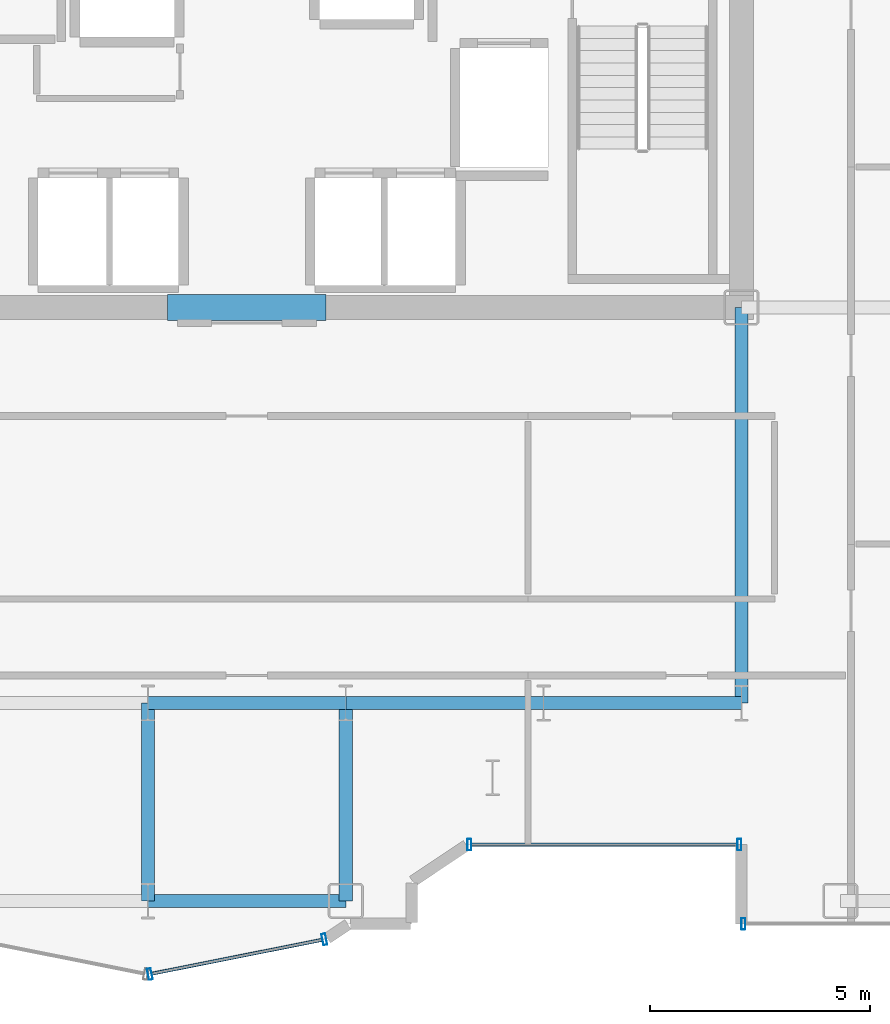
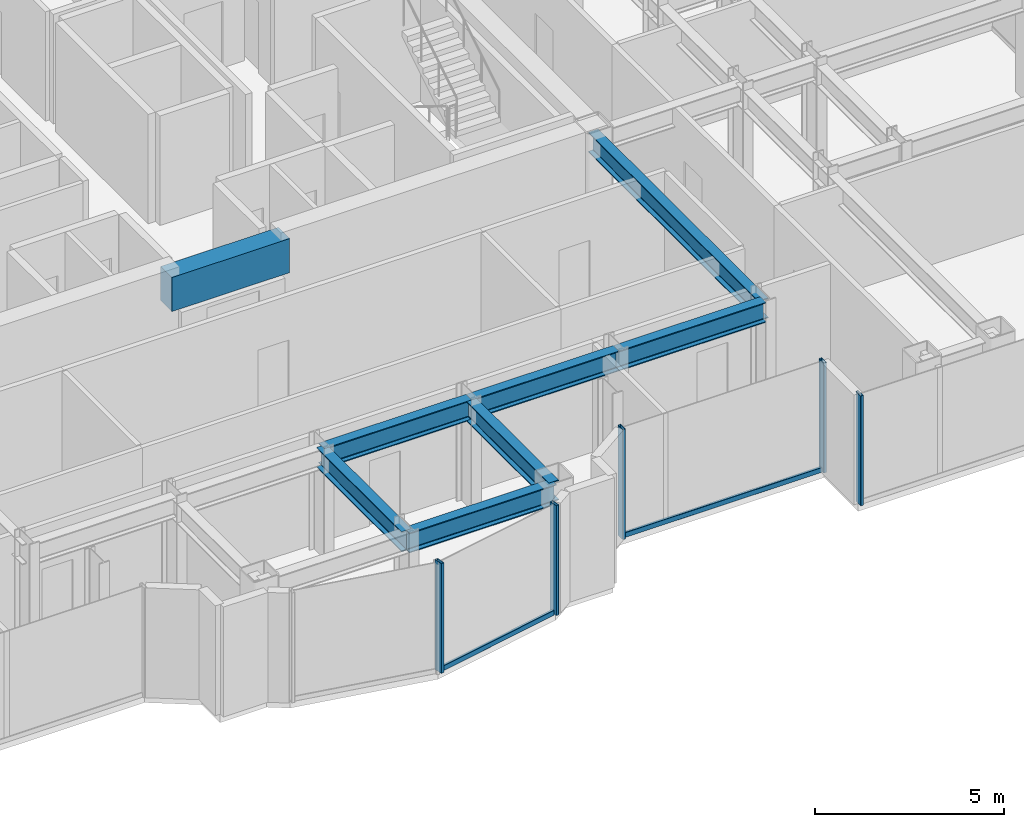
# One storey, part 7 of 23: 8 beams, 7 members, 3 elements without a shape of their own.
"""IFC4 building model written with IfcOpenShell, lengths in metres."""

from ifc_helpers import new_model, si_unit, direction, frame, origin, origin_2d, place, context, subcontext, project, spatial, rectangle, hollow_rectangle, i_section, extrude, source, transform, mapped, material, layer, layer_set, material_profile, profile_set, type_object, element, aggregate, save


model = new_model("IFC4")

# Units and contexts
model_context = context("Model", 3, precision=1e-05, world=origin(), true_north=direction((0.0, 1.0)))
body_context = subcontext(model_context, "Body", "Model", "MODEL_VIEW")
ifc_project = project(units=[si_unit("LENGTHUNIT", "METRE"), si_unit("AREAUNIT", "SQUARE_METRE"), si_unit("VOLUMEUNIT", "CUBIC_METRE"), si_unit("PLANEANGLEUNIT", "RADIAN"), si_unit("MASSUNIT", "GRAM", prefix="KILO")], contexts=[model_context])

# Site, building, storey
site_placement = place(None, origin())
site = spatial("IfcSite", under=ifc_project, at=site_placement, CompositionType="ELEMENT")
building_placement = place(site_placement, origin())
building = spatial("IfcBuilding", under=site, at=building_placement, Name="Nefas-Gora Pilgrimage Tower", CompositionType="ELEMENT")
storey_placement = place(building_placement, frame((0.0, 0.0, 190.60009765625)))
storey = spatial("IfcBuildingStorey", under=building, at=storey_placement, Name="L47", CompositionType="ELEMENT", Elevation=190.60009765625)

# Beams
ifc_material_1 = material(Name="Concrete C60/75", Category="concrete")
ifc_material_profile_1 = material_profile(ifc_material_1, rectangle(XDim=0.60009765625, YDim=1.10009765625, at=origin_2d()), Name="RC 600x1100")
ifc_profile_set_1 = profile_set([ifc_material_profile_1], Name="Concrete C60/75")
beam_type_1 = type_object("IfcBeamType", Name="BM-LIN-RC1100", PredefinedType="LINTEL", material=ifc_profile_set_1)
shared_shape_1 = source(origin(), body_context, "Body", "SweptSolid", [
    extrude(rectangle(XDim=0.60009765625, YDim=1.10009765625, at=origin_2d()), origin(), (0.0, 0.0, 1.0), 3.60009765625),
])
beam_1_placement = place(storey_placement, frame((-1.800048828125, -9.0, 3.0), z_axis=(1.0, 0.0, 0.0), x_axis=(0.0, 1.0, 0.0)))
element("IfcBeam", 1, at=beam_1_placement, inside=storey, type_object=beam_type_1, Name="L47 Core Coupling Lintel Beam S", PredefinedType="LINTEL", context=body_context, shape_type="MappedRepresentation", body=[
    mapped(shared_shape_1, transform((0.0, 0.0, 0.0), x_axis=(1.0, 0.0, 0.0), y_axis=(0.0, 1.0, 0.0), z_axis=(0.0, 0.0, 1.0), scale=1.0)),
])
ifc_material_2 = material(Name="Steel S355", Category="steel")
ifc_material_profile_2 = material_profile(ifc_material_2, i_section(OverallWidth=0.300048828125, OverallDepth=0.64990234375, WebThickness=0.01611328125, FlangeThickness=0.031005859375, FilletRadius=0.027099609375, at=origin_2d()), Name="HEB 650")
ifc_profile_set_2 = profile_set([ifc_material_profile_2], Name="Steel S355")
beam_type_2 = type_object("IfcBeamType", Name="BM-GIR-HEB650", PredefinedType="BEAM", material=ifc_profile_set_2)
shared_shape_2 = source(origin(), body_context, "Body", "SweptSolid", [
    extrude(i_section(OverallWidth=0.300048828125, OverallDepth=0.64990234375, WebThickness=0.01611328125, FlangeThickness=0.031005859375, FilletRadius=0.027099609375, at=origin_2d()), origin(), (0.0, 0.0, 1.0), 9.0),
])
beam_2_placement = place(storey_placement, frame((11.25, -18.0, 3.224853515625), z_axis=(0.0, 1.0, 0.0), x_axis=(-1.0, 0.0, 0.0)))
element("IfcBeam", 2, at=beam_2_placement, inside=storey, type_object=beam_type_2, Name="L47 G-03 beam", PredefinedType="BEAM", context=body_context, shape_type="MappedRepresentation", body=[
    mapped(shared_shape_2, transform((0.0, 0.0, 0.0), x_axis=(1.0, 0.0, 0.0), y_axis=(0.0, 1.0, 0.0), z_axis=(0.0, 0.0, 1.0), scale=1.0)),
])
shared_shape_3 = source(origin(), body_context, "Body", "SweptSolid", [
    extrude(i_section(OverallWidth=0.300048828125, OverallDepth=0.64990234375, WebThickness=0.01611328125, FlangeThickness=0.031005859375, FilletRadius=0.027099609375, at=origin_2d()), origin(), (0.0, 0.0, 1.0), 4.5),
])
for number, where, z_axis, x_axis, name in (
    (3, (-2.25, -22.5, 3.224853515625), (0.0, 1.0, 0.0), (-1.0, 0.0, 0.0), "L47 G-03 beam"),
    (4, (-2.25, -22.5, 3.224853515625), (1.0, 0.0, 0.0), (0.0, 1.0, 0.0), "L47 G-03 beam"),
    (5, (-2.25, -18.0, 3.224853515625), (1.0, 0.0, 0.0), (0.0, 1.0, 0.0), "L47 G-03 beam"),
    (6, (2.25, -22.5, 3.224853515625), (0.0, 1.0, 0.0), (-1.0, 0.0, 0.0), "L47 G-03 beam"),
    (7, (2.25, -18.0, 3.224853515625), (1.0, 0.0, 0.0), (0.0, 1.0, 0.0), "L47 G-03 beam"),
    (8, (6.75, -18.0, 3.224853515625), (1.0, 0.0, 0.0), (0.0, 1.0, 0.0), "L47 G-03 beam"),
):
    element("IfcBeam", number, at=place(storey_placement, frame(where, z_axis=z_axis, x_axis=x_axis)), inside=storey, type_object=beam_type_2, Name=name, PredefinedType="BEAM", context=body_context, shape_type="MappedRepresentation", body=[
        mapped(shared_shape_3, transform((0.0, 0.0, 0.0), x_axis=(1.0, 0.0, 0.0), y_axis=(0.0, 1.0, 0.0), z_axis=(0.0, 0.0, 1.0), scale=1.0)),
    ])

# Curtain wall, member
ifc_material_3 = material(Name="Dark ceramic-fritted solar-control aluminium-glass curtain wall", Category="aluminium")
ifc_layer_1 = layer(ifc_material_3, 0.219970703125)
ifc_layer_set_1 = layer_set([ifc_layer_1], Name="Dark ceramic-fritted solar-control aluminium-glass curtain wall")
curtain_wall_type_1 = type_object("IfcCurtainWallType", Name="CW-SYS-5", PredefinedType="NOTDEFINED", material=ifc_layer_set_1)
curtain_wall_1_placement = place(storey_placement, origin())
curtain_wall_1 = element("IfcCurtainWall", 9, at=curtain_wall_1_placement, inside=storey, type_object=curtain_wall_type_1, Name="L47 Unitised Curtain Wall CW5", PredefinedType="NOTDEFINED")
ifc_material_4 = material(Name="Anodised architectural aluminium", Category="aluminium")
ifc_material_profile_3 = material_profile(ifc_material_4, hollow_rectangle(XDim=0.080078125, YDim=0.159912109375, WallThickness=0.00439453125, InnerFilletRadius=0.00439453125, OuterFilletRadius=0.009033203125, at=origin_2d()), Name="ALU TRANSOM 80x160")
ifc_profile_set_3 = profile_set([ifc_material_profile_3], Name="Anodised architectural aluminium")
member_type_1 = type_object("IfcMemberType", Name="CWM-TRN-5", PredefinedType="USERDEFINED", material=ifc_profile_set_3)
shared_shape_4 = source(origin(), body_context, "Body", "SweptSolid", [
    extrude(hollow_rectangle(XDim=0.080078125, YDim=0.159912109375, WallThickness=0.00439453125, InnerFilletRadius=0.00439453125, OuterFilletRadius=0.009033203125, at=origin_2d()), origin(), (0.0, 0.0, 1.0), 6.052001953125),
])
member_1_placement = place(storey_placement, frame((5.10791015625, -21.219970703125, 0.0498046875), z_axis=(1.0, 0.0, 0.0), x_axis=(0.0, 1.0, 0.0)))
member_1 = element("IfcMember", 10, at=member_1_placement, type_object=member_type_1, Name="CW5 Spandrel Transom", ObjectType="TRANSOM", PredefinedType="USERDEFINED", context=body_context, shape_type="MappedRepresentation", body=[
    mapped(shared_shape_4, transform((0.0, 0.0, 0.0), x_axis=(1.0, 0.0, 0.0), y_axis=(0.0, 1.0, 0.0), z_axis=(0.0, 0.0, 1.0), scale=1.0)),
])

curtain_wall_2_placement = place(storey_placement, origin())
curtain_wall_2 = element("IfcCurtainWall", 11, at=curtain_wall_2_placement, inside=storey, type_object=curtain_wall_type_1, Name="L47 Unitised Curtain Wall CW5", PredefinedType="NOTDEFINED")
shared_shape_5 = source(origin(), body_context, "Body", "SweptSolid", [
    extrude(hollow_rectangle(XDim=0.080078125, YDim=0.159912109375, WallThickness=0.00439453125, InnerFilletRadius=0.00439453125, OuterFilletRadius=0.009033203125, at=origin_2d()), origin(), (0.0, 0.0, 1.0), 3.95654296875),
])
member_2_placement = place(storey_placement, frame((-2.16162109375, -24.15478515625, 0.0498046875), z_axis=(0.980781880918, 0.195107411605, 0.0), x_axis=(-0.195107411605, 0.980781880918, 0.0)))
member_2 = element("IfcMember", 12, at=member_2_placement, type_object=member_type_1, Name="CW5 Spandrel Transom", ObjectType="TRANSOM", PredefinedType="USERDEFINED", context=body_context, shape_type="MappedRepresentation", body=[
    mapped(shared_shape_5, transform((0.0, 0.0, 0.0), x_axis=(1.0, 0.0, 0.0), y_axis=(0.0, 1.0, 0.0), z_axis=(0.0, 0.0, 1.0), scale=1.0)),
])

# Member
ifc_material_profile_4 = material_profile(ifc_material_4, hollow_rectangle(XDim=0.090087890625, YDim=0.260009765625, WallThickness=0.006103515625, InnerFilletRadius=0.006103515625, OuterFilletRadius=0.011962890625, at=origin_2d()), Name="ALU MULLION 90x260")
ifc_profile_set_4 = profile_set([ifc_material_profile_4], Name="Anodised architectural aluminium")
member_type_2 = type_object("IfcMemberType", Name="CWM-MUL-5", PredefinedType="MULLION", material=ifc_profile_set_4)
shared_shape_6 = source(origin(), body_context, "Body", "SweptSolid", [
    extrude(hollow_rectangle(XDim=0.090087890625, YDim=0.260009765625, WallThickness=0.006103515625, InnerFilletRadius=0.006103515625, OuterFilletRadius=0.011962890625, at=origin_2d()), origin(), (0.0, 0.0, 1.0), 3.5498046875),
])
member_3_placement = place(storey_placement, frame((5.06298828125, -21.219970703125, 0.0), z_axis=(0.0, 0.0, 1.0), x_axis=(1.0, 0.0, 0.0)))
member_3 = element("IfcMember", 13, at=member_3_placement, type_object=member_type_2, Name="CW5 Mullion 1", PredefinedType="MULLION", context=body_context, shape_type="MappedRepresentation", body=[
    mapped(shared_shape_6, transform((0.0, 0.0, 0.0), x_axis=(1.0, 0.0, 0.0), y_axis=(0.0, 1.0, 0.0), z_axis=(0.0, 0.0, 1.0), scale=1.0)),
])

member_4_placement = place(storey_placement, frame((11.205078125, -21.219970703125, 0.0), z_axis=(0.0, 0.0, 1.0), x_axis=(1.0, 0.0, 0.0)))
member_4 = element("IfcMember", 14, at=member_4_placement, type_object=member_type_2, Name="CW5 Mullion 2", PredefinedType="MULLION", context=body_context, shape_type="MappedRepresentation", body=[
    mapped(shared_shape_6, transform((0.0, 0.0, 0.0), x_axis=(1.0, 0.0, 0.0), y_axis=(0.0, 1.0, 0.0), z_axis=(0.0, 0.0, 1.0), scale=1.0)),
])

aggregate(curtain_wall_1, [member_3, member_4, member_1])

member_5_placement = place(storey_placement, frame((-2.205810546875, -24.16357421875, 0.0), z_axis=(0.0, 0.0, 1.0), x_axis=(0.980782896852, 0.195102304554, 0.0)))
member_5 = element("IfcMember", 15, at=member_5_placement, type_object=member_type_2, Name="CW5 Mullion 1", PredefinedType="MULLION", context=body_context, shape_type="MappedRepresentation", body=[
    mapped(shared_shape_6, transform((0.0, 0.0, 0.0), x_axis=(1.0, 0.0, 0.0), y_axis=(0.0, 1.0, 0.0), z_axis=(0.0, 0.0, 1.0), scale=1.0)),
])

member_6_placement = place(storey_placement, frame((1.76318359375, -23.3740234375, 0.0), z_axis=(0.0, 0.0, 1.0), x_axis=(0.980782896852, 0.195102304554, 0.0)))
member_6 = element("IfcMember", 16, at=member_6_placement, type_object=member_type_2, Name="CW5 Mullion 2", PredefinedType="MULLION", context=body_context, shape_type="MappedRepresentation", body=[
    mapped(shared_shape_6, transform((0.0, 0.0, 0.0), x_axis=(1.0, 0.0, 0.0), y_axis=(0.0, 1.0, 0.0), z_axis=(0.0, 0.0, 1.0), scale=1.0)),
])

aggregate(curtain_wall_2, [member_5, member_6, member_2])

# Curtain wall, member
ifc_layer_2 = layer(ifc_material_3, 0.219970703125)
ifc_layer_set_2 = layer_set([ifc_layer_2], Name="Dark ceramic-fritted solar-control aluminium-glass curtain wall")
curtain_wall_type_2 = type_object("IfcCurtainWallType", Name="CW-SYS-3", PredefinedType="NOTDEFINED", material=ifc_layer_set_2)
curtain_wall_3_placement = place(storey_placement, origin())
curtain_wall_3 = element("IfcCurtainWall", 17, at=curtain_wall_3_placement, inside=storey, type_object=curtain_wall_type_2, Name="L47 Unitised Curtain Wall CW3", PredefinedType="NOTDEFINED")
ifc_material_profile_5 = material_profile(ifc_material_4, hollow_rectangle(XDim=0.090087890625, YDim=0.260009765625, WallThickness=0.006103515625, InnerFilletRadius=0.006103515625, OuterFilletRadius=0.011962890625, at=origin_2d()), Name="ALU MULLION 90x260")
ifc_profile_set_5 = profile_set([ifc_material_profile_5], Name="Anodised architectural aluminium")
member_type_3 = type_object("IfcMemberType", Name="CWM-MUL-3", PredefinedType="MULLION", material=ifc_profile_set_5)
shared_shape_7 = source(origin(), body_context, "Body", "SweptSolid", [
    extrude(hollow_rectangle(XDim=0.090087890625, YDim=0.260009765625, WallThickness=0.006103515625, InnerFilletRadius=0.006103515625, OuterFilletRadius=0.011962890625, at=origin_2d()), origin(), (0.0, 0.0, 1.0), 3.5498046875),
])
member_7_placement = place(storey_placement, frame((11.294921875, -23.02001953125, 0.0), z_axis=(0.0, 0.0, 1.0), x_axis=(1.0, 0.0, 0.0)))
member_7 = element("IfcMember", 18, at=member_7_placement, type_object=member_type_3, Name="CW3 Mullion 1", PredefinedType="MULLION", context=body_context, shape_type="MappedRepresentation", body=[
    mapped(shared_shape_7, transform((0.0, 0.0, 0.0), x_axis=(1.0, 0.0, 0.0), y_axis=(0.0, 1.0, 0.0), z_axis=(0.0, 0.0, 1.0), scale=1.0)),
])
aggregate(curtain_wall_3, [member_7])

save(model, "model.ifc")
